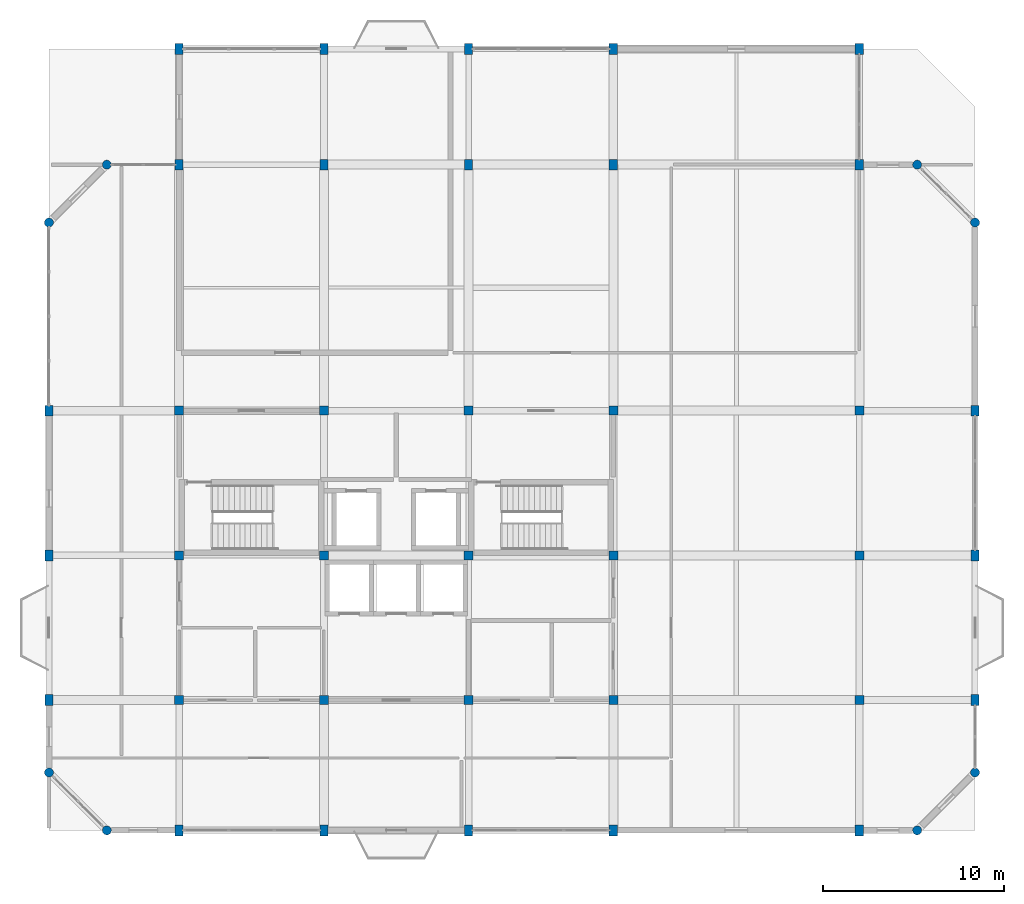
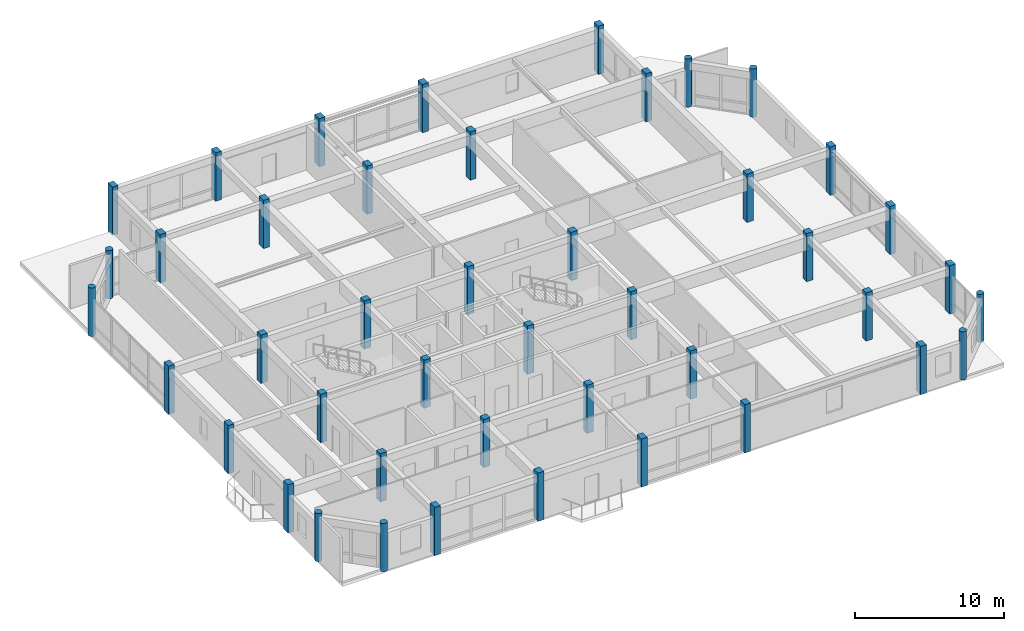
# One storey, part 1 of 12: 44 columns.
"""IFC4 building model written with IfcOpenShell, lengths in metres."""

from ifc_helpers import new_model, si_unit, direction, frame, origin, origin_2d, place, context, subcontext, project, spatial, rectangle, circle, extrude, material, material_profile, profile_set, type_object, element, save


model = new_model("IFC4")

# Units and contexts
model_context = context("Model", 3, precision=1e-05, world=origin(), true_north=direction((0.0, 1.0)))
body_context = subcontext(model_context, "Body", "Model", "MODEL_VIEW")
ifc_project = project(units=[si_unit("LENGTHUNIT", "METRE"), si_unit("AREAUNIT", "SQUARE_METRE"), si_unit("VOLUMEUNIT", "CUBIC_METRE"), si_unit("PLANEANGLEUNIT", "RADIAN"), si_unit("MASSUNIT", "GRAM", prefix="KILO")], contexts=[model_context])

# Site, building, storey
site_placement = place(None, origin())
site = spatial("IfcSite", under=ifc_project, at=site_placement, CompositionType="ELEMENT")
building_placement = place(site_placement, origin())
building = spatial("IfcBuilding", under=site, at=building_placement, Name="Vellmiral Cinema and Media Centre", CompositionType="ELEMENT")
storey_placement = place(building_placement, frame((0.0, 0.0, 62.64990234375)))
storey = spatial("IfcBuildingStorey", under=building, at=storey_placement, Name="L15", CompositionType="ELEMENT", Elevation=62.64990234375)

# Columns
ifc_material_1 = material(Name="Concrete C40/50", Category="concrete")
ifc_material_profile_1 = material_profile(ifc_material_1, rectangle(XDim=0.449951171875, YDim=0.60009765625, at=origin_2d()), Name="RC 450x600")
ifc_profile_set_1 = profile_set([ifc_material_profile_1], Name="Concrete C40/50")
column_type_1 = type_object("IfcColumnType", Name="COL-RC-450x600", PredefinedType="COLUMN", material=ifc_profile_set_1)
for number, where, z_axis, x_axis, name in (
    (1, (116.800048828125, 79.199951171875, 0.0), (0.0, 0.0, 1.0), (1.0, 0.0, 0.0), "Column L15-002"),
    (2, (116.800048828125, 87.199951171875, 0.0), (0.0, 0.0, 1.0), (1.0, 0.0, 0.0), "Column L15-003"),
    (3, (116.800048828125, 95.199951171875, 0.0), (0.0, 0.0, 1.0), (1.0, 0.0, 0.0), "Column L15-004"),
    (4, (124.0, 72.0, 0.0), (0.0, 0.0, 1.0), (1.0, 0.0, 0.0), "Column L15-008"),
    (5, (124.0, 108.800048828125, 0.0), (0.0, 0.0, 1.0), (1.0, 0.0, 0.0), "Column L15-012"),
    (6, (124.0, 115.199951171875, 0.0), (0.0, 0.0, 1.0), (1.0, 0.0, 0.0), "Column L15-013"),
    (7, (132.0, 72.0, 0.0), (0.0, 0.0, 1.0), (1.0, 0.0, 0.0), "Column L15-014"),
    (8, (132.0, 108.800048828125, 0.0), (0.0, 0.0, 1.0), (1.0, 0.0, 0.0), "Column L15-018"),
    (9, (132.0, 115.199951171875, 0.0), (0.0, 0.0, 1.0), (1.0, 0.0, 0.0), "Column L15-019"),
    (10, (140.0, 72.0, 0.0), (0.0, 0.0, 1.0), (1.0, 0.0, 0.0), "Column L15-020"),
    (11, (140.0, 108.800048828125, 0.0), (0.0, 0.0, 1.0), (1.0, 0.0, 0.0), "Column L15-024"),
    (12, (140.0, 115.199951171875, 0.0), (0.0, 0.0, 1.0), (1.0, 0.0, 0.0), "Column L15-025"),
    (13, (148.0, 72.0, 0.0), (0.0, 0.0, 1.0), (1.0, 0.0, 0.0), "Column L15-026"),
    (14, (148.0, 108.800048828125, 0.0), (0.0, 0.0, 1.0), (1.0, 0.0, 0.0), "Column L15-030"),
    (15, (148.0, 115.199951171875, 0.0), (0.0, 0.0, 1.0), (1.0, 0.0, 0.0), "Column L15-031"),
    (16, (161.60009765625, 72.0, 0.0), (0.0, 0.0, 1.0), (1.0, 0.0, 0.0), "Column L15-032"),
    (17, (161.60009765625, 108.800048828125, 0.0), (0.0, 0.0, 1.0), (1.0, 0.0, 0.0), "Column L15-036"),
    (18, (161.60009765625, 115.199951171875, 0.0), (0.0, 0.0, 1.0), (1.0, 0.0, 0.0), "Column L15-037"),
    (19, (168.0, 79.199951171875, 0.0), (0.0, 0.0, 1.0), (1.0, 0.0, 0.0), "Column L15-041"),
    (20, (168.0, 87.199951171875, 0.0), (0.0, 0.0, 1.0), (1.0, 0.0, 0.0), "Column L15-042"),
    (21, (168.0, 95.199951171875, 0.0), (0.0, 0.0, 1.0), (1.0, 0.0, 0.0), "Column L15-043"),
):
    element("IfcColumn", number, at=place(storey_placement, frame(where, z_axis=z_axis, x_axis=x_axis)), inside=storey, type_object=column_type_1, Name=name, PredefinedType="COLUMN", context=body_context, shape_type="SweptSolid", body=[
        extrude(rectangle(XDim=0.449951171875, YDim=0.60009765625, at=origin_2d()), origin(), (0.0, 0.0, 1.0), 3.9501953125),
    ])
ifc_material_2 = material(Name="Concrete C40/50", Category="concrete")
ifc_material_profile_2 = material_profile(ifc_material_2, rectangle(XDim=0.5, YDim=0.5, at=origin_2d()), Name="RC 500x500")
ifc_profile_set_2 = profile_set([ifc_material_profile_2], Name="Concrete C40/50")
column_type_2 = type_object("IfcColumnType", Name="COL-RC-500x500", PredefinedType="COLUMN", material=ifc_profile_set_2)
for number, where, z_axis, x_axis, name in (
    (22, (124.0, 79.199951171875, 0.0), (0.0, 0.0, 1.0), (1.0, 0.0, 0.0), "Column L15-009"),
    (23, (124.0, 87.199951171875, 0.0), (0.0, 0.0, 1.0), (1.0, 0.0, 0.0), "Column L15-010"),
    (24, (124.0, 95.199951171875, 0.0), (0.0, 0.0, 1.0), (1.0, 0.0, 0.0), "Column L15-011"),
    (25, (132.0, 79.199951171875, 0.0), (0.0, 0.0, 1.0), (1.0, 0.0, 0.0), "Column L15-015"),
    (26, (132.0, 87.199951171875, 0.0), (0.0, 0.0, 1.0), (1.0, 0.0, 0.0), "Column L15-016"),
    (27, (132.0, 95.199951171875, 0.0), (0.0, 0.0, 1.0), (1.0, 0.0, 0.0), "Column L15-017"),
    (28, (140.0, 79.199951171875, 0.0), (0.0, 0.0, 1.0), (1.0, 0.0, 0.0), "Column L15-021"),
    (29, (140.0, 87.199951171875, 0.0), (0.0, 0.0, 1.0), (1.0, 0.0, 0.0), "Column L15-022"),
    (30, (140.0, 95.199951171875, 0.0), (0.0, 0.0, 1.0), (1.0, 0.0, 0.0), "Column L15-023"),
    (31, (148.0, 79.199951171875, 0.0), (0.0, 0.0, 1.0), (1.0, 0.0, 0.0), "Column L15-027"),
    (32, (148.0, 87.199951171875, 0.0), (0.0, 0.0, 1.0), (1.0, 0.0, 0.0), "Column L15-028"),
    (33, (148.0, 95.199951171875, 0.0), (0.0, 0.0, 1.0), (1.0, 0.0, 0.0), "Column L15-029"),
    (34, (161.60009765625, 79.199951171875, 0.0), (0.0, 0.0, 1.0), (1.0, 0.0, 0.0), "Column L15-033"),
    (35, (161.60009765625, 87.199951171875, 0.0), (0.0, 0.0, 1.0), (1.0, 0.0, 0.0), "Column L15-034"),
    (36, (161.60009765625, 95.199951171875, 0.0), (0.0, 0.0, 1.0), (1.0, 0.0, 0.0), "Column L15-035"),
):
    element("IfcColumn", number, at=place(storey_placement, frame(where, z_axis=z_axis, x_axis=x_axis)), inside=storey, type_object=column_type_2, Name=name, PredefinedType="COLUMN", context=body_context, shape_type="SweptSolid", body=[
        extrude(rectangle(XDim=0.5, YDim=0.5, at=origin_2d()), origin(), (0.0, 0.0, 1.0), 3.9501953125),
    ])
ifc_material_3 = material(Name="Concrete C40/50", Category="concrete")
ifc_material_profile_3 = material_profile(ifc_material_3, circle(Radius=0.25, at=origin_2d()), Name="RC D500")
ifc_profile_set_3 = profile_set([ifc_material_profile_3], Name="Concrete C40/50")
column_type_3 = type_object("IfcColumnType", Name="COL-RCC-D500", PredefinedType="COLUMN", material=ifc_profile_set_3)
for number, where, z_axis, x_axis, name in (
    (37, (116.800048828125, 75.199951171875, 0.0), (0.0, 0.0, 1.0), (1.0, 0.0, 0.0), "Column L15-001"),
    (38, (116.800048828125, 105.60009765625, 0.0), (0.0, 0.0, 1.0), (1.0, 0.0, 0.0), "Column L15-005"),
    (39, (120.0, 72.0, 0.0), (0.0, 0.0, 1.0), (1.0, 0.0, 0.0), "Column L15-006"),
    (40, (120.0, 108.800048828125, 0.0), (0.0, 0.0, 1.0), (1.0, 0.0, 0.0), "Column L15-007"),
    (41, (164.800048828125, 72.0, 0.0), (0.0, 0.0, 1.0), (1.0, 0.0, 0.0), "Column L15-038"),
    (42, (164.800048828125, 108.800048828125, 0.0), (0.0, 0.0, 1.0), (1.0, 0.0, 0.0), "Column L15-039"),
    (43, (168.0, 75.199951171875, 0.0), (0.0, 0.0, 1.0), (1.0, 0.0, 0.0), "Column L15-040"),
    (44, (168.0, 105.60009765625, 0.0), (0.0, 0.0, 1.0), (1.0, 0.0, 0.0), "Column L15-044"),
):
    element("IfcColumn", number, at=place(storey_placement, frame(where, z_axis=z_axis, x_axis=x_axis)), inside=storey, type_object=column_type_3, Name=name, PredefinedType="COLUMN", context=body_context, shape_type="SweptSolid", body=[
        extrude(circle(Radius=0.25, at=origin_2d()), origin(), (0.0, 0.0, 1.0), 3.9501953125),
    ])

save(model, "model.ifc")
